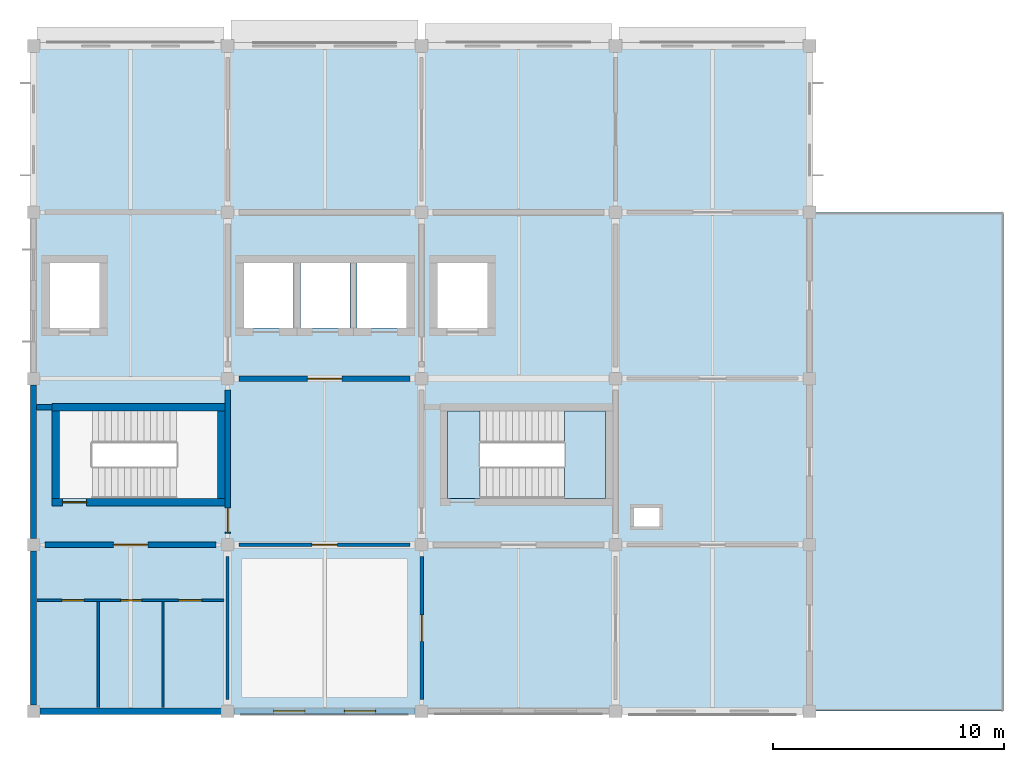
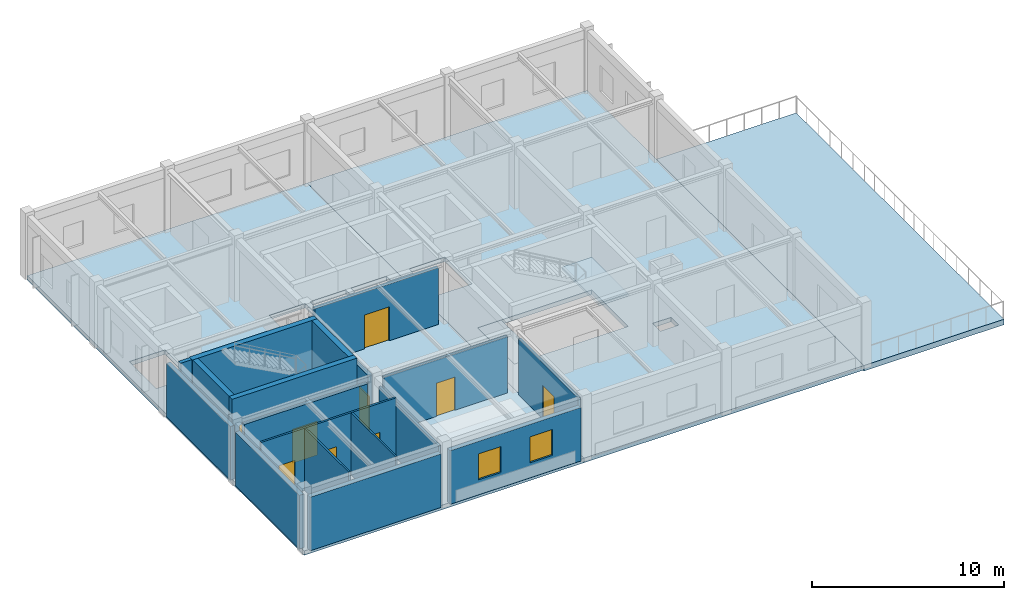
# One storey, part 2 of 6: 18 walls, 9 doors, 5 slabs, 2 windows, 11 openings, 1 element without a shape of its own.
"""IFC4 building model written with IfcOpenShell, lengths in metres."""

from ifc_helpers import new_model, si_unit, derived_unit, direction, frame, frame_2d, origin, place, context, subcontext, project, spatial, polyline, rectangle, outline, extrude, material, layer, layer_set, type_object, element, fill, aggregate, save


model = new_model("IFC4")

# Units and contexts
model_context = context("Model", 3, precision=1e-05, world=origin(), true_north=direction((0.0, 1.0)))
body_context = subcontext(model_context, "Body", "Model", "MODEL_VIEW")
ifc_project = project(units=[si_unit("LENGTHUNIT", "METRE"), si_unit("AREAUNIT", "SQUARE_METRE"), si_unit("VOLUMEUNIT", "CUBIC_METRE"), si_unit("PLANEANGLEUNIT", "RADIAN"), si_unit("MASSUNIT", "GRAM", prefix="KILO"), derived_unit("THERMALTRANSMITTANCEUNIT", [(si_unit("MASSUNIT", "GRAM", prefix="KILO"), 1), (si_unit("TIMEUNIT", "SECOND"), -3), (si_unit("THERMODYNAMICTEMPERATUREUNIT", "KELVIN"), -1)])], contexts=[model_context])

# Site, building, storey
site_placement = place(None, origin())
site = spatial("IfcSite", under=ifc_project, at=site_placement, CompositionType="ELEMENT")
building_placement = place(site_placement, origin())
building = spatial("IfcBuilding", under=site, at=building_placement, Name="Veldstrom Oceanarium and Marine Research Institute", CompositionType="ELEMENT")
storey_placement = place(building_placement, frame((0.0, 0.0, 60.60009765625)))
storey = spatial("IfcBuildingStorey", under=building, at=storey_placement, Name="L13", CompositionType="ELEMENT", Elevation=60.60009765625)

# Slabs
ifc_material_1 = material(Name="Concrete C40/50", Category="concrete")
ifc_layer_1 = layer(ifc_material_1, 0.280029296875)
ifc_layer_set_1 = layer_set([ifc_layer_1], Name="STR-SLB-FL0280")
slab_type_1 = type_object("IfcSlabType", Name="STR-SLB-FL0280", PredefinedType="FLOOR", material=ifc_layer_set_1)
slab_1_placement = place(storey_placement, frame((0.0, 0.0, -0.280029296875)))
element("IfcSlab", 1, at=slab_1_placement, inside=storey, type_object=slab_type_1, Name="Slab SF-280 L13 CW", PredefinedType="FLOOR", context=body_context, shape_type="SweptSolid", body=[
    extrude(outline(polyline([(92.39990234375, 50.39990234375), (92.39990234375, 43.199951171875), (84.0, 43.199951171875), (75.60009765625, 43.199951171875), (75.60009765625, 50.39990234375), (75.60009765625, 57.60009765625), (75.60009765625, 64.800048828125), (75.60009765625, 72.0), (84.0, 72.0), (92.39990234375, 72.0), (92.39990234375, 64.800048828125), (92.39990234375, 57.60009765625), (92.39990234375, 50.39990234375)]), holes=[polyline([(76.719970703125, 52.39990234375), (83.56005859375, 52.39990234375), (83.56005859375, 56.199951171875), (76.719970703125, 56.199951171875), (76.719970703125, 52.39990234375)]), polyline([(78.449951171875, 62.60009765625), (76.300048828125, 62.60009765625), (76.300048828125, 59.800048828125), (78.449951171875, 59.800048828125), (78.449951171875, 62.60009765625)]), polyline([(84.699951171875, 59.800048828125), (86.85009765625, 59.800048828125), (86.85009765625, 62.60009765625), (84.699951171875, 62.60009765625), (84.699951171875, 59.800048828125)]), polyline([(87.14990234375, 62.60009765625), (87.14990234375, 59.800048828125), (89.300048828125, 59.800048828125), (89.300048828125, 62.60009765625), (87.14990234375, 62.60009765625)]), polyline([(91.75, 62.60009765625), (89.60009765625, 62.60009765625), (89.60009765625, 59.800048828125), (91.75, 59.800048828125), (91.75, 62.60009765625)])]), origin(), (0.0, 0.0, 1.0), 0.280029296875),
])
slab_2_placement = place(storey_placement, frame((0.0, 0.0, -0.280029296875)))
element("IfcSlab", 2, at=slab_2_placement, inside=storey, type_object=slab_type_1, Name="Slab SF-280 L13 CE", PredefinedType="FLOOR", context=body_context, shape_type="SweptSolid", body=[
    extrude(outline(polyline([(109.199951171875, 43.199951171875), (100.800048828125, 43.199951171875), (92.39990234375, 43.199951171875), (92.39990234375, 50.39990234375), (92.39990234375, 57.60009765625), (92.39990234375, 64.800048828125), (92.39990234375, 72.0), (100.800048828125, 72.0), (109.199951171875, 72.0), (109.199951171875, 64.800048828125), (109.199951171875, 57.60009765625), (109.199951171875, 50.39990234375), (109.199951171875, 43.199951171875)]), holes=[polyline([(93.52001953125, 52.39990234375), (100.360107421875, 52.39990234375), (100.360107421875, 56.199951171875), (93.52001953125, 56.199951171875), (93.52001953125, 52.39990234375)]), polyline([(95.25, 62.60009765625), (93.10009765625, 62.60009765625), (93.10009765625, 59.800048828125), (95.25, 59.800048828125), (95.25, 62.60009765625)]), polyline([(102.699951171875, 52.0), (101.60009765625, 52.0), (101.60009765625, 51.199951171875), (102.699951171875, 51.199951171875), (102.699951171875, 52.0)])]), origin(), (0.0, 0.0, 1.0), 0.280029296875),
])

# Stair, slab
ifc_material_2 = material(Name="Concrete C40/50", Category="concrete")
stair_type = type_object("IfcStairType", Name="ARC-STR-ST-420", PredefinedType="TWO_STRAIGHT_RUN_STAIR", material=ifc_material_2)
stair_placement = place(storey_placement, origin())
stair = element("IfcStair", 3, at=stair_placement, inside=storey, type_object=stair_type, Name="Dog-Leg Escape Stair ST2-L13", PredefinedType="TWO_STRAIGHT_RUN_STAIR")
ifc_material_3 = material(Name="Concrete C40/50", Category="concrete")
ifc_layer_2 = layer(ifc_material_3, 0.179931640625)
ifc_layer_set_2 = layer_set([ifc_layer_2], Name="STR-SLB-LD180")
slab_type_2 = type_object("IfcSlabType", Name="STR-SLB-LD180", PredefinedType="LANDING", material=ifc_layer_set_2)
slab_3_placement = place(storey_placement, frame((0.0, 0.0, 1.919921875)))
slab_3 = element("IfcSlab", 4, at=slab_3_placement, type_object=slab_type_2, Name="Stair Half-Landing ST2 L13", PredefinedType="LANDING", context=body_context, shape_type="SweptSolid", body=[
    extrude(outline(polyline([(98.580078125, 52.39990234375), (100.360107421875, 52.39990234375), (100.360107421875, 56.199951171875), (98.580078125, 56.199951171875), (98.580078125, 52.39990234375)])), origin(), (0.0, 0.0, 1.0), 0.179931640625),
])
aggregate(stair, [slab_3])

# Slabs
ifc_material_4 = material(Name="Concrete C40/50", Category="concrete")
ifc_layer_3 = layer(ifc_material_4, 0.199951171875)
ifc_layer_set_3 = layer_set([ifc_layer_3], Name="STR-SLB-LD200")
slab_type_3 = type_object("IfcSlabType", Name="STR-SLB-LD200", PredefinedType="LANDING", material=ifc_layer_set_3)
slab_4_placement = place(storey_placement, frame((0.0, 0.0, -0.2001953125)))
element("IfcSlab", 5, at=slab_4_placement, inside=storey, type_object=slab_type_3, Name="Stair Floor Landing ST2 L13", PredefinedType="LANDING", context=body_context, shape_type="SweptSolid", body=[
    extrude(outline(polyline([(93.52001953125, 52.39990234375), (94.93994140625, 52.39990234375), (94.93994140625, 56.199951171875), (93.52001953125, 56.199951171875), (93.52001953125, 52.39990234375)])), origin(), (0.0, 0.0, 1.0), 0.2001953125),
])
ifc_material_5 = material(Name="Concrete C40/50", Category="concrete")
ifc_layer_4 = layer(ifc_material_5, 0.35009765625)
ifc_layer_set_4 = layer_set([ifc_layer_4], Name="STR-SLB-RF0350")
slab_type_4 = type_object("IfcSlabType", Name="STR-SLB-RF0350", PredefinedType="ROOF", material=ifc_layer_set_4)
slab_5_placement = place(storey_placement, frame((0.0, 0.0, -0.35009765625)))
element("IfcSlab", 6, at=slab_5_placement, inside=storey, type_object=slab_type_4, Name="Landscaped Roof Terrace Slab L13", PredefinedType="ROOF", context=body_context, shape_type="SweptSolid", body=[
    extrude(outline(polyline([(117.60009765625, 43.199951171875), (109.199951171875, 43.199951171875), (109.199951171875, 50.39990234375), (109.199951171875, 57.60009765625), (109.199951171875, 64.800048828125), (117.60009765625, 64.800048828125), (117.60009765625, 57.60009765625), (117.60009765625, 50.39990234375), (117.60009765625, 43.199951171875)])), origin(), (0.0, 0.0, 1.0), 0.35009765625),
])

# Walls
ifc_material_6 = material(Name="Masonry Cavity Wall", Category="masonry")
ifc_layer_5 = layer(ifc_material_6, 0.2900390625)
ifc_layer_set_5 = layer_set([ifc_layer_5], Name="ARC-WAL-EW2")
wall_type_1 = type_object("IfcWallType", Name="ARC-WAL-EW2", PredefinedType="SOLIDWALL", material=ifc_layer_set_5)
wall_1_placement = place(storey_placement, frame((75.875, 43.199951171875, 0.0), z_axis=(0.0, 0.0, 1.0), x_axis=(1.0, 0.0, 0.0)))
element("IfcWall", 7, at=wall_1_placement, inside=storey, type_object=wall_type_1, Name="Exterior Facade Wall EW2 L13-251", PredefinedType="SOLIDWALL", context=body_context, shape_type="SweptSolid", body=[
    extrude(rectangle(XDim=7.85009765625, YDim=0.2900390625, at=frame_2d((3.925048828125, 0.0))), origin(), (0.0, 0.0, 1.0), 3.39501953125),
])
ifc_material_7 = material(Name="Masonry Cavity Wall", Category="masonry")
ifc_layer_6 = layer(ifc_material_7, 0.27001953125)
ifc_layer_set_6 = layer_set([ifc_layer_6], Name="ARC-WAL-EW3")
wall_type_2 = type_object("IfcWallType", Name="ARC-WAL-EW3", PredefinedType="SOLIDWALL", material=ifc_layer_set_6)
wall_2_placement = place(storey_placement, frame((75.60009765625, 43.47509765625, 0.0), z_axis=(0.0, 0.0, 1.0), x_axis=(0.0, 1.0, 0.0)))
element("IfcWall", 8, at=wall_2_placement, inside=storey, type_object=wall_type_2, Name="Exterior Facade Wall EW3 L13-252", PredefinedType="SOLIDWALL", context=body_context, shape_type="SweptSolid", body=[
    extrude(rectangle(XDim=6.64990234375, YDim=0.27001953125, at=frame_2d((3.324951171875, 0.0))), origin(), (0.0, 0.0, 1.0), 3.39501953125),
])

# Wall, openings, windows
wall_3_placement = place(storey_placement, frame((84.27490234375, 43.199951171875, 0.0), z_axis=(0.0, 0.0, 1.0), x_axis=(1.0, 0.0, 0.0)))
wall_3 = element("IfcWall", 9, at=wall_3_placement, inside=storey, type_object=wall_type_2, Name="Exterior Facade Wall EW3 L13-257", PredefinedType="SOLIDWALL", context=body_context, shape_type="SweptSolid", body=[
    extrude(rectangle(XDim=7.85009765625, YDim=0.27001953125, at=frame_2d((3.925048828125, 0.0))), origin(), (0.0, 0.0, 1.0), 3.39501953125),
])
opening_1_placement = place(wall_3_placement, frame((1.716796875, 0.0, 0.949951171875)))
opening_1 = element("IfcOpeningElement", 10, at=opening_1_placement, cuts=wall_3, Name="Opening W24", PredefinedType="OPENING", context=body_context, shape_type="SweptSolid", body=[
    extrude(rectangle(XDim=1.35009765625, YDim=1.64990234375, at=frame_2d((0.675048828125, 0.824951171875))), frame((0.0, 0.14501953125, 0.0), z_axis=(0.0, -1.0, 0.0), x_axis=(1.0, 0.0, 0.0)), (0.0, 0.0, 1.0), 0.2900390625),
])
opening_2_placement = place(wall_3_placement, frame((4.783203125, 0.0, 0.949951171875)))
opening_2 = element("IfcOpeningElement", 11, at=opening_2_placement, cuts=wall_3, Name="Opening W24", PredefinedType="OPENING", context=body_context, shape_type="SweptSolid", body=[
    extrude(rectangle(XDim=1.35009765625, YDim=1.64990234375, at=frame_2d((0.675048828125, 0.824951171875))), frame((0.0, 0.14501953125, 0.0), z_axis=(0.0, -1.0, 0.0), x_axis=(1.0, 0.0, 0.0)), (0.0, 0.0, 1.0), 0.2900390625),
])
ifc_material_8 = material(Name="Double Glazed Low-E IGU", Category="glass")
window_type = type_object("IfcWindowType", Name="ARC-WIN-W24", PartitioningType="SINGLE_PANEL", PredefinedType="WINDOW", material=ifc_material_8)
window_1_placement = place(opening_1_placement, origin())
window_1 = element("IfcWindow", 12, at=window_1_placement, inside=storey, type_object=window_type, Name="Facade Window W24 L13-0245", OverallHeight=1.64990234375, OverallWidth=1.35009765625, PartitioningType="SINGLE_PANEL", PredefinedType="WINDOW", context=body_context, shape_type="SweptSolid", body=[
    extrude(rectangle(XDim=1.35009765625, YDim=1.64990234375, at=frame_2d((0.675048828125, 0.824951171875))), frame((0.0, 0.030029296875, 0.0), z_axis=(0.0, -1.0, 0.0), x_axis=(1.0, 0.0, 0.0)), (0.0, 0.0, 1.0), 0.06005859375),
])
fill(opening_1, window_1)
window_2_placement = place(opening_2_placement, origin())
window_2 = element("IfcWindow", 13, at=window_2_placement, inside=storey, type_object=window_type, Name="Facade Window W24 L13-0246", OverallHeight=1.64990234375, OverallWidth=1.35009765625, PartitioningType="SINGLE_PANEL", PredefinedType="WINDOW", context=body_context, shape_type="SweptSolid", body=[
    extrude(rectangle(XDim=1.35009765625, YDim=1.64990234375, at=frame_2d((0.675048828125, 0.824951171875))), frame((0.0, 0.030029296875, 0.0), z_axis=(0.0, -1.0, 0.0), x_axis=(1.0, 0.0, 0.0)), (0.0, 0.0, 1.0), 0.06005859375),
])
fill(opening_2, window_2)

# Wall
ifc_material_9 = material(Name="Masonry Cavity Wall", Category="masonry")
ifc_layer_7 = layer(ifc_material_9, 0.25)
ifc_layer_set_7 = layer_set([ifc_layer_7], Name="ARC-WAL-EW5")
wall_type_3 = type_object("IfcWallType", Name="ARC-WAL-EW5", PredefinedType="SOLIDWALL", material=ifc_layer_set_7)
wall_4_placement = place(storey_placement, frame((75.60009765625, 50.675048828125, 0.0), z_axis=(0.0, 0.0, 1.0), x_axis=(0.0, 1.0, 0.0)))
element("IfcWall", 14, at=wall_4_placement, inside=storey, type_object=wall_type_3, Name="Exterior Facade Wall EW5 L13-253", PredefinedType="SOLIDWALL", context=body_context, shape_type="SweptSolid", body=[
    extrude(rectangle(XDim=6.64990234375, YDim=0.25, at=frame_2d((3.324951171875, 0.0))), origin(), (0.0, 0.0, 1.0), 3.39501953125),
])

# Wall, opening, door
ifc_material_10 = material(Name="Masonry Fire Compartment Wall", Category="masonry")
ifc_layer_8 = layer(ifc_material_10, 0.22998046875)
ifc_layer_set_8 = layer_set([ifc_layer_8], Name="ARC-WAL-PT1")
wall_type_4 = type_object("IfcWallType", Name="ARC-WAL-PT1", PredefinedType="PARTITIONING", material=ifc_layer_set_8)
wall_5_placement = place(storey_placement, frame((76.10009765625, 50.39990234375, 0.0), z_axis=(0.0, 0.0, 1.0), x_axis=(1.0, 0.0, 0.0)))
wall_5 = element("IfcWall", 15, at=wall_5_placement, inside=storey, type_object=wall_type_4, Name="Interior Partition PT1 L13-1742", PredefinedType="PARTITIONING", context=body_context, shape_type="SweptSolid", body=[
    extrude(rectangle(XDim=7.39990234375, YDim=0.22998046875, at=frame_2d((3.699951171875, 0.0))), origin(), (0.0, 0.0, 1.0), 3.544921875),
])
opening_3_placement = place(wall_5_placement, frame((2.949951171875, 0.0, 0.0)))
opening_3 = element("IfcOpeningElement", 16, at=opening_3_placement, cuts=wall_5, Name="Opening D-L13-1075", PredefinedType="OPENING", context=body_context, shape_type="SweptSolid", body=[
    extrude(rectangle(XDim=1.5, YDim=2.14990234375, at=frame_2d((0.75, 1.074951171875))), frame((0.0, 0.125, 0.0), z_axis=(0.0, -1.0, 0.0), x_axis=(1.0, 0.0, 0.0)), (0.0, 0.0, 1.0), 0.25),
])
ifc_material_11 = material(Name="Painted Steel Lobby Fire Door", Category="steel")
door_type_1 = type_object("IfcDoorType", Name="ARC-DOR-SD2", OperationType="DOUBLE_DOOR_SINGLE_SWING", PredefinedType="DOOR", material=ifc_material_11)
door_1_placement = place(opening_3_placement, frame((1.5, 0.0, 0.0), z_axis=(0.0, 0.0, 1.0), x_axis=(-1.0, 0.0, 0.0)))
door_1 = element("IfcDoor", 17, at=door_1_placement, inside=storey, type_object=door_type_1, Name="Interior Door D-L13-1075", OperationType="DOUBLE_DOOR_SINGLE_SWING", OverallHeight=2.14990234375, OverallWidth=1.5, PredefinedType="DOOR", context=body_context, shape_type="SweptSolid", body=[
    extrude(rectangle(XDim=1.5, YDim=2.14990234375, at=frame_2d((0.75, 1.074951171875))), frame((0.0, 0.02490234375, 0.0), z_axis=(0.0, -1.0, 0.0), x_axis=(1.0, 0.0, 0.0)), (0.0, 0.0, 1.0), 0.050048828125),
])
fill(opening_3, door_1)

wall_6_placement = place(storey_placement, frame((84.0, 50.89990234375, 0.0), z_axis=(0.0, 0.0, 1.0), x_axis=(0.0, 1.0, 0.0)))
wall_6 = element("IfcWall", 18, at=wall_6_placement, inside=storey, type_object=wall_type_4, Name="Interior Partition PT1 L13-1743", PredefinedType="PARTITIONING", context=body_context, shape_type="SweptSolid", body=[
    extrude(rectangle(XDim=6.2001953125, YDim=0.22998046875, at=frame_2d((3.10009765625, 0.0))), origin(), (0.0, 0.0, 1.0), 3.544921875),
])
opening_4_placement = place(wall_6_placement, frame((0.050048828125, 0.0, 0.0)))
opening_4 = element("IfcOpeningElement", 19, at=opening_4_placement, cuts=wall_6, Name="Opening D-L13-1076", PredefinedType="OPENING", context=body_context, shape_type="SweptSolid", body=[
    extrude(rectangle(XDim=1.050048828125, YDim=2.14990234375, at=frame_2d((0.52490234375, 1.074951171875))), frame((0.0, 0.125, 0.0), z_axis=(0.0, -1.0, 0.0), x_axis=(1.0, 0.0, 0.0)), (0.0, 0.0, 1.0), 0.25),
])
ifc_material_12 = material(Name="Painted Steel Fire Door", Category="steel")
door_type_2 = type_object("IfcDoorType", Name="ARC-DOR-SD1", OperationType="SINGLE_SWING_LEFT", PredefinedType="DOOR", material=ifc_material_12)
door_2_placement = place(opening_4_placement, origin())
door_2 = element("IfcDoor", 20, at=door_2_placement, inside=storey, type_object=door_type_2, Name="Interior Door D-L13-1076", OperationType="SINGLE_SWING_LEFT", OverallHeight=2.14990234375, OverallWidth=1.050048828125, PredefinedType="DOOR", context=body_context, shape_type="SweptSolid", body=[
    extrude(rectangle(XDim=1.050048828125, YDim=2.14990234375, at=frame_2d((0.52490234375, 1.074951171875))), frame((0.0, 0.02490234375, 0.0), z_axis=(0.0, -1.0, 0.0), x_axis=(1.0, 0.0, 0.0)), (0.0, 0.0, 1.0), 0.050048828125),
])
fill(opening_4, door_2)

# Wall
wall_7_placement = place(storey_placement, frame((75.719970703125, 56.360107421875, 0.0), z_axis=(0.0, 0.0, 1.0), x_axis=(1.0, 0.0, 0.0)))
element("IfcWall", 21, at=wall_7_placement, inside=storey, type_object=wall_type_4, Name="Interior Partition PT1 L13-1744", PredefinedType="PARTITIONING", context=body_context, shape_type="SweptSolid", body=[
    extrude(rectangle(XDim=0.679931640625, YDim=0.22998046875, at=frame_2d((0.33984375, 0.0))), origin(), (0.0, 0.0, 1.0), 3.949951171875),
])

# Wall, opening, door
wall_8_placement = place(storey_placement, frame((84.5, 57.60009765625, 0.0), z_axis=(0.0, 0.0, 1.0), x_axis=(1.0, 0.0, 0.0)))
wall_8 = element("IfcWall", 22, at=wall_8_placement, inside=storey, type_object=wall_type_4, Name="Interior Partition PT1 L13-1751", PredefinedType="PARTITIONING", context=body_context, shape_type="SweptSolid", body=[
    extrude(rectangle(XDim=7.39990234375, YDim=0.22998046875, at=frame_2d((3.699951171875, 0.0))), origin(), (0.0, 0.0, 1.0), 3.594970703125),
])
opening_5_placement = place(wall_8_placement, frame((2.949951171875, 0.0, 0.0)))
opening_5 = element("IfcOpeningElement", 23, at=opening_5_placement, cuts=wall_8, Name="Opening D-L13-1082", PredefinedType="OPENING", context=body_context, shape_type="SweptSolid", body=[
    extrude(rectangle(XDim=1.5, YDim=2.14990234375, at=frame_2d((0.75, 1.074951171875))), frame((0.0, 0.125, 0.0), z_axis=(0.0, -1.0, 0.0), x_axis=(1.0, 0.0, 0.0)), (0.0, 0.0, 1.0), 0.25),
])
door_3_placement = place(opening_5_placement, origin())
door_3 = element("IfcDoor", 24, at=door_3_placement, inside=storey, type_object=door_type_1, Name="Interior Door D-L13-1082", OperationType="DOUBLE_DOOR_SINGLE_SWING", OverallHeight=2.14990234375, OverallWidth=1.5, PredefinedType="DOOR", context=body_context, shape_type="SweptSolid", body=[
    extrude(rectangle(XDim=1.5, YDim=2.14990234375, at=frame_2d((0.75, 1.074951171875))), frame((0.0, 0.02490234375, 0.0), z_axis=(0.0, -1.0, 0.0), x_axis=(1.0, 0.0, 0.0)), (0.0, 0.0, 1.0), 0.050048828125),
])
fill(opening_5, door_3)

ifc_material_13 = material(Name="Drywall Corridor Partition", Category="gypsum")
ifc_layer_9 = layer(ifc_material_13, 0.155029296875)
ifc_layer_set_9 = layer_set([ifc_layer_9], Name="ARC-WAL-PT4")
wall_type_5 = type_object("IfcWallType", Name="ARC-WAL-PT4", PredefinedType="PARTITIONING", material=ifc_layer_set_9)
wall_9_placement = place(storey_placement, frame((92.39990234375, 43.699951171875, 0.0), z_axis=(0.0, 0.0, 1.0), x_axis=(0.0, 1.0, 0.0)))
wall_9 = element("IfcWall", 25, at=wall_9_placement, inside=storey, type_object=wall_type_5, Name="Interior Partition PT4 L13-1748", PredefinedType="PARTITIONING", context=body_context, shape_type="SweptSolid", body=[
    extrude(rectangle(XDim=6.199951171875, YDim=0.155029296875, at=frame_2d((3.10009765625, 0.0))), origin(), (0.0, 0.0, 1.0), 3.544921875),
])
opening_6_placement = place(wall_9_placement, frame((2.52490234375, 0.0, 0.0)))
opening_6 = element("IfcOpeningElement", 26, at=opening_6_placement, cuts=wall_9, Name="Opening D-L13-1079", PredefinedType="OPENING", context=body_context, shape_type="SweptSolid", body=[
    extrude(rectangle(XDim=1.14990234375, YDim=2.10009765625, at=frame_2d((0.574951171875, 1.050048828125))), frame((0.0, 0.08740234375, 0.0), z_axis=(0.0, -1.0, 0.0), x_axis=(1.0, 0.0, 0.0)), (0.0, 0.0, 1.0), 0.175048828125),
])
ifc_material_14 = material(Name="Fellows Studio Door", Category="timber")
door_type_3 = type_object("IfcDoorType", Name="ARC-DOR-ID17", OperationType="SINGLE_SWING_LEFT", PredefinedType="DOOR", material=ifc_material_14)
door_4_placement = place(opening_6_placement, origin())
door_4 = element("IfcDoor", 27, at=door_4_placement, inside=storey, type_object=door_type_3, Name="Interior Door D-L13-1079", OperationType="SINGLE_SWING_RIGHT", OverallHeight=2.10009765625, OverallWidth=1.14990234375, PredefinedType="DOOR", context=body_context, shape_type="SweptSolid", body=[
    extrude(rectangle(XDim=1.14990234375, YDim=2.10009765625, at=frame_2d((0.574951171875, 1.050048828125))), frame((0.0, 0.02490234375, 0.0), z_axis=(0.0, -1.0, 0.0), x_axis=(1.0, 0.0, 0.0)), (0.0, 0.0, 1.0), 0.050048828125),
])
fill(opening_6, door_4)

wall_10_placement = place(storey_placement, frame((84.5, 50.39990234375, 0.0), z_axis=(0.0, 0.0, 1.0), x_axis=(1.0, 0.0, 0.0)))
wall_10 = element("IfcWall", 28, at=wall_10_placement, inside=storey, type_object=wall_type_5, Name="Interior Partition PT4 L13-1749", PredefinedType="PARTITIONING", context=body_context, shape_type="SweptSolid", body=[
    extrude(rectangle(XDim=7.39990234375, YDim=0.155029296875, at=frame_2d((3.699951171875, 0.0))), origin(), (0.0, 0.0, 1.0), 3.594970703125),
])
opening_7_placement = place(wall_10_placement, frame((3.14990234375, 0.0, 0.0)))
opening_7 = element("IfcOpeningElement", 29, at=opening_7_placement, cuts=wall_10, Name="Opening D-L13-1080", PredefinedType="OPENING", context=body_context, shape_type="SweptSolid", body=[
    extrude(rectangle(XDim=1.10009765625, YDim=2.10009765625, at=frame_2d((0.550048828125, 1.050048828125))), frame((0.0, 0.08740234375, 0.0), z_axis=(0.0, -1.0, 0.0), x_axis=(1.0, 0.0, 0.0)), (0.0, 0.0, 1.0), 0.175048828125),
])
ifc_material_15 = material(Name="Research Office Door", Category="timber")
door_type_4 = type_object("IfcDoorType", Name="ARC-DOR-ID07", OperationType="SINGLE_SWING_LEFT", PredefinedType="DOOR", material=ifc_material_15)
door_5_placement = place(opening_7_placement, frame((1.10009765625, 0.0, 0.0), z_axis=(0.0, 0.0, 1.0), x_axis=(-1.0, 0.0, 0.0)))
door_5 = element("IfcDoor", 30, at=door_5_placement, inside=storey, type_object=door_type_4, Name="Interior Door D-L13-1080", OperationType="SINGLE_SWING_LEFT", OverallHeight=2.10009765625, OverallWidth=1.10009765625, PredefinedType="DOOR", context=body_context, shape_type="SweptSolid", body=[
    extrude(rectangle(XDim=1.10009765625, YDim=2.10009765625, at=frame_2d((0.550048828125, 1.050048828125))), frame((0.0, 0.02490234375, 0.0), z_axis=(0.0, -1.0, 0.0), x_axis=(1.0, 0.0, 0.0)), (0.0, 0.0, 1.0), 0.050048828125),
])
fill(opening_7, door_5)

# Wall, openings, doors
ifc_material_16 = material(Name="Lightweight Studio Partition", Category="gypsum")
ifc_layer_10 = layer(ifc_material_16, 0.1201171875)
ifc_layer_set_10 = layer_set([ifc_layer_10], Name="ARC-WAL-PT6")
wall_type_6 = type_object("IfcWallType", Name="ARC-WAL-PT6", PredefinedType="PARTITIONING", material=ifc_layer_set_10)
wall_11_placement = place(storey_placement, frame((75.75, 48.0, 0.0), z_axis=(0.0, 0.0, 1.0), x_axis=(1.0, 0.0, 0.0)))
wall_11 = element("IfcWall", 31, at=wall_11_placement, inside=storey, type_object=wall_type_6, Name="Sanitary Vestibule Partition L13-9", PredefinedType="PARTITIONING", context=body_context, shape_type="SweptSolid", body=[
    extrude(rectangle(XDim=8.10009765625, YDim=0.1201171875, at=frame_2d((4.050048828125, 0.0))), origin(), (0.0, 0.0, 1.0), 3.949951171875),
])
opening_8_placement = place(wall_11_placement, frame((1.080078125, 0.0, 0.0)))
opening_8 = element("IfcOpeningElement", 32, at=opening_8_placement, cuts=wall_11, Name="Opening D-L13-WC1072", PredefinedType="OPENING", context=body_context, shape_type="SweptSolid", body=[
    extrude(rectangle(XDim=0.949951171875, YDim=2.10009765625, at=frame_2d((0.47509765625, 1.050048828125))), frame((0.0, 0.070068359375, 0.0), z_axis=(0.0, -1.0, 0.0), x_axis=(1.0, 0.0, 0.0)), (0.0, 0.0, 1.0), 0.14013671875),
])
opening_9_placement = place(wall_11_placement, frame((3.6298828125, 0.0, 0.0)))
opening_9 = element("IfcOpeningElement", 33, at=opening_9_placement, cuts=wall_11, Name="Opening D-L13-WC1073", PredefinedType="OPENING", context=body_context, shape_type="SweptSolid", body=[
    extrude(rectangle(XDim=0.89990234375, YDim=2.10009765625, at=frame_2d((0.449951171875, 1.050048828125))), frame((0.0, 0.070068359375, 0.0), z_axis=(0.0, -1.0, 0.0), x_axis=(1.0, 0.0, 0.0)), (0.0, 0.0, 1.0), 0.14013671875),
])
opening_10_placement = place(wall_11_placement, frame((6.1298828125, 0.0, 0.0)))
opening_10 = element("IfcOpeningElement", 34, at=opening_10_placement, cuts=wall_11, Name="Opening D-L13-WC1074", PredefinedType="OPENING", context=body_context, shape_type="SweptSolid", body=[
    extrude(rectangle(XDim=1.0, YDim=2.10009765625, at=frame_2d((0.5, 1.050048828125))), frame((0.0, 0.070068359375, 0.0), z_axis=(0.0, -1.0, 0.0), x_axis=(1.0, 0.0, 0.0)), (0.0, 0.0, 1.0), 0.14013671875),
])
ifc_material_17 = material(Name="Accessible Sanitary Door", Category="timber")
door_type_5 = type_object("IfcDoorType", Name="ARC-DOR-ID08", OperationType="SINGLE_SWING_RIGHT", PredefinedType="DOOR", material=ifc_material_17)
door_6_placement = place(opening_10_placement, frame((1.0, 0.0, 0.0), z_axis=(0.0, 0.0, 1.0), x_axis=(-1.0, 0.0, 0.0)))
door_6 = element("IfcDoor", 35, at=door_6_placement, inside=storey, type_object=door_type_5, Name="Accessible WC Door D-L13-WC1074", OperationType="SINGLE_SWING_RIGHT", OverallHeight=2.10009765625, OverallWidth=1.0, PredefinedType="DOOR", context=body_context, shape_type="SweptSolid", body=[
    extrude(rectangle(XDim=1.0, YDim=2.10009765625, at=frame_2d((0.5, 1.050048828125))), frame((0.0, 0.02490234375, 0.0), z_axis=(0.0, -1.0, 0.0), x_axis=(1.0, 0.0, 0.0)), (0.0, 0.0, 1.0), 0.050048828125),
])
fill(opening_10, door_6)
ifc_material_18 = material(Name="Staff Sanitary Door", Category="timber")
door_type_6 = type_object("IfcDoorType", Name="ARC-DOR-ID09", OperationType="SINGLE_SWING_LEFT", PredefinedType="DOOR", material=ifc_material_18)
door_7_placement = place(opening_8_placement, frame((0.949951171875, 0.0, 0.0), z_axis=(0.0, 0.0, 1.0), x_axis=(-1.0, 0.0, 0.0)))
door_7 = element("IfcDoor", 36, at=door_7_placement, inside=storey, type_object=door_type_6, Name="Male WC Door D-L13-WC1072", OperationType="SINGLE_SWING_RIGHT", OverallHeight=2.10009765625, OverallWidth=0.949951171875, PredefinedType="DOOR", context=body_context, shape_type="SweptSolid", body=[
    extrude(rectangle(XDim=0.949951171875, YDim=2.10009765625, at=frame_2d((0.47509765625, 1.050048828125))), frame((0.0, 0.02490234375, 0.0), z_axis=(0.0, -1.0, 0.0), x_axis=(1.0, 0.0, 0.0)), (0.0, 0.0, 1.0), 0.050048828125),
])
fill(opening_8, door_7)
ifc_material_19 = material(Name="Internal Sanitary Door", Category="timber")
door_type_7 = type_object("IfcDoorType", Name="ARC-DOR-ID10", OperationType="SINGLE_SWING_RIGHT", PredefinedType="DOOR", material=ifc_material_19)
door_8_placement = place(opening_9_placement, frame((0.89990234375, 0.0, 0.0), z_axis=(0.0, 0.0, 1.0), x_axis=(-1.0, 0.0, 0.0)))
door_8 = element("IfcDoor", 37, at=door_8_placement, inside=storey, type_object=door_type_7, Name="Female WC Door D-L13-WC1073", OperationType="SINGLE_SWING_LEFT", OverallHeight=2.10009765625, OverallWidth=0.89990234375, PredefinedType="DOOR", context=body_context, shape_type="SweptSolid", body=[
    extrude(rectangle(XDim=0.89990234375, YDim=2.10009765625, at=frame_2d((0.449951171875, 1.050048828125))), frame((0.0, 0.02490234375, 0.0), z_axis=(0.0, -1.0, 0.0), x_axis=(1.0, 0.0, 0.0)), (0.0, 0.0, 1.0), 0.050048828125),
])
fill(opening_9, door_8)

# Walls
wall_12_placement = place(storey_placement, frame((84.0, 43.699951171875, 0.0), z_axis=(0.0, 0.0, 1.0), x_axis=(0.0, 1.0, 0.0)))
element("IfcWall", 38, at=wall_12_placement, inside=storey, type_object=wall_type_6, Name="Interior Partition PT6 L13-1741", PredefinedType="PARTITIONING", context=body_context, shape_type="SweptSolid", body=[
    extrude(rectangle(XDim=6.199951171875, YDim=0.1201171875, at=frame_2d((3.10009765625, 0.0))), origin(), (0.0, 0.0, 1.0), 3.44482421875),
])
ifc_material_20 = material(Name="Sanitary Cubicle Partition", Category="gypsum")
ifc_layer_11 = layer(ifc_material_20, 0.10009765625)
ifc_layer_set_11 = layer_set([ifc_layer_11], Name="ARC-WAL-PT7")
wall_type_7 = type_object("IfcWallType", Name="ARC-WAL-PT7", PredefinedType="PARTITIONING", material=ifc_layer_set_11)
for number, where, z_axis, x_axis, name in (
    (39, (78.39990234375, 43.35009765625, 0.0), (0.0, 0.0, 1.0), (0.0, 1.0, 0.0), "Sanitary Stall Divider Wall L13-1739"),
    (40, (81.199951171875, 43.35009765625, 0.0), (0.0, 0.0, 1.0), (0.0, 1.0, 0.0), "Sanitary Stall Divider Wall L13-1740"),
):
    element("IfcWall", number, at=place(storey_placement, frame(where, z_axis=z_axis, x_axis=x_axis)), inside=storey, type_object=wall_type_7, Name=name, PredefinedType="PARTITIONING", context=body_context, shape_type="SweptSolid", body=[
        extrude(rectangle(XDim=4.58984375, YDim=0.10009765625, at=frame_2d((2.294921875, 0.0))), origin(), (0.0, 0.0, 1.0), 3.949951171875),
    ])

# Wall, opening, door
ifc_material_21 = material(Name="Concrete C40/50", Category="concrete")
ifc_layer_12 = layer(ifc_material_21, 0.320068359375)
ifc_layer_set_12 = layer_set([ifc_layer_12], Name="STR-WAL-WC3")
wall_type_8 = type_object("IfcWallType", Name="STR-WAL-WC3", PredefinedType="SHEAR", material=ifc_layer_set_12)
wall_13_placement = place(storey_placement, frame((76.39990234375, 52.239990234375, 0.0), z_axis=(0.0, 0.0, 1.0), x_axis=(1.0, 0.0, 0.0)))
wall_13 = element("IfcWall", 41, at=wall_13_placement, inside=storey, type_object=wall_type_8, Name="Stair Core Shear Wall SC1-L13-S", PredefinedType="SHEAR", context=body_context, shape_type="SweptSolid", body=[
    extrude(rectangle(XDim=7.47998046875, YDim=0.320068359375, at=frame_2d((3.739990234375, 0.0))), origin(), (0.0, 0.0, 1.0), 3.949951171875),
])
opening_11_placement = place(wall_13_placement, frame((0.449951171875, 0.0, 0.0)))
opening_11 = element("IfcOpeningElement", 42, at=opening_11_placement, cuts=wall_13, Name="Opening D-ST1-L13", PredefinedType="OPENING", context=body_context, shape_type="SweptSolid", body=[
    extrude(rectangle(XDim=1.050048828125, YDim=2.14990234375, at=frame_2d((0.52490234375, 1.074951171875))), frame((0.0, 0.169921875, 0.0), z_axis=(0.0, -1.0, 0.0), x_axis=(1.0, 0.0, 0.0)), (0.0, 0.0, 1.0), 0.340087890625),
])
door_9_placement = place(opening_11_placement, origin())
door_9 = element("IfcDoor", 43, at=door_9_placement, inside=storey, type_object=door_type_2, Name="Escape Stair Fire Door D-ST1-L13", OperationType="SINGLE_SWING_LEFT", OverallHeight=2.14990234375, OverallWidth=1.050048828125, PredefinedType="DOOR", context=body_context, shape_type="SweptSolid", body=[
    extrude(rectangle(XDim=1.050048828125, YDim=2.14990234375, at=frame_2d((0.52490234375, 1.074951171875))), frame((0.0, 0.02490234375, 0.0), z_axis=(0.0, -1.0, 0.0), x_axis=(1.0, 0.0, 0.0)), (0.0, 0.0, 1.0), 0.050048828125),
])
fill(opening_11, door_9)

# Walls
wall_14_placement = place(storey_placement, frame((76.39990234375, 56.360107421875, 0.0), z_axis=(0.0, 0.0, 1.0), x_axis=(1.0, 0.0, 0.0)))
element("IfcWall", 44, at=wall_14_placement, inside=storey, type_object=wall_type_8, Name="Stair Core Shear Wall SC1-L13-N", PredefinedType="SHEAR", context=body_context, shape_type="SweptSolid", body=[
    extrude(rectangle(XDim=7.47998046875, YDim=0.320068359375, at=frame_2d((3.739990234375, 0.0))), origin(), (0.0, 0.0, 1.0), 3.949951171875),
])
for number, where, z_axis, x_axis, name in (
    (45, (76.56005859375, 52.39990234375, 0.0), (0.0, 0.0, 1.0), (0.0, 1.0, 0.0), "Stair Core Shear Wall SC1-L13-W"),
    (46, (83.719970703125, 52.39990234375, 0.0), (0.0, 0.0, 1.0), (0.0, 1.0, 0.0), "Stair Core Shear Wall SC1-L13-E"),
):
    element("IfcWall", number, at=place(storey_placement, frame(where, z_axis=z_axis, x_axis=x_axis)), inside=storey, type_object=wall_type_8, Name=name, PredefinedType="SHEAR", context=body_context, shape_type="SweptSolid", body=[
        extrude(rectangle(XDim=3.800048828125, YDim=0.320068359375, at=frame_2d((1.89990234375, 0.0))), origin(), (0.0, 0.0, 1.0), 3.949951171875),
    ])

save(model, "model.ifc")
